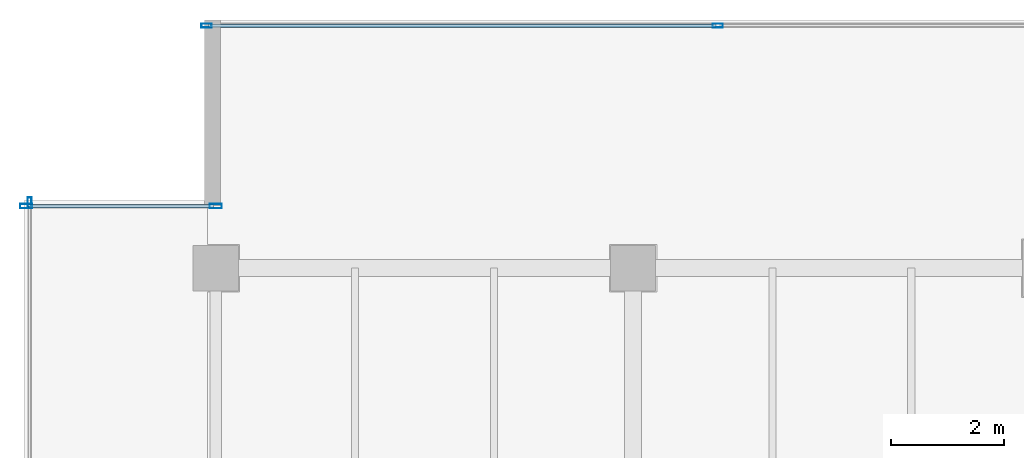
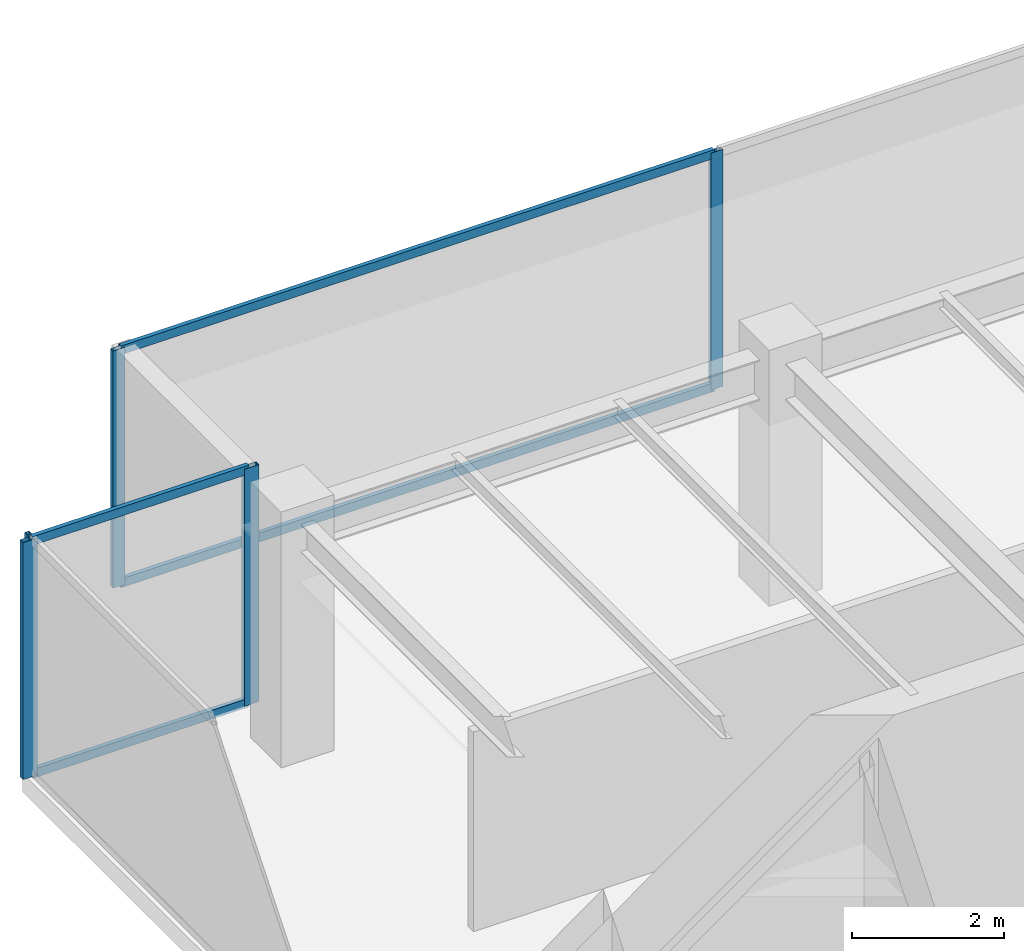
# One storey, part 15 of 36: 9 members, 3 elements without a shape of their own.
"""IFC4 building model written with IfcOpenShell, lengths in metres."""

from ifc_helpers import new_model, si_unit, direction, frame, origin, origin_2d, place, context, subcontext, project, spatial, hollow_rectangle, extrude, source, transform, mapped, material, layer, layer_set, material_profile, profile_set, type_object, type_shapes, element, aggregate, save


model = new_model("IFC4")

# Units and contexts
model_context = context("Model", 3, precision=1e-05, world=origin(), true_north=direction((0.0, 1.0)))
body_context = subcontext(model_context, "Body", "Model", "MODEL_VIEW")
ifc_project = project(units=[si_unit("LENGTHUNIT", "METRE"), si_unit("AREAUNIT", "SQUARE_METRE"), si_unit("VOLUMEUNIT", "CUBIC_METRE"), si_unit("PLANEANGLEUNIT", "RADIAN"), si_unit("MASSUNIT", "GRAM", prefix="KILO")], contexts=[model_context])

# Site, building, storey
site_placement = place(None, origin())
site = spatial("IfcSite", under=ifc_project, at=site_placement, CompositionType="ELEMENT")
building_placement = place(site_placement, origin())
building = spatial("IfcBuilding", under=site, at=building_placement, Name="Haelvirn Gate Laboratories", CompositionType="ELEMENT")
storey_placement = place(building_placement, frame((0.0, 0.0, 262.89990234375)))
storey = spatial("IfcBuildingStorey", under=building, at=storey_placement, Name="L63", CompositionType="ELEMENT", Elevation=262.89990234375)

# Curtain wall, members
ifc_material_1 = material(Name="Anodised bronze unitised aluminium & triple low-E glass", Category="aluminium")
ifc_layer_1 = layer(ifc_material_1, 0.181884765625, Name="CW-SYS-5")
ifc_layer_set_1 = layer_set([ifc_layer_1], Name="Anodised bronze unitised aluminium & triple low-E glass")
curtain_wall_type_1 = type_object("IfcCurtainWallType", Name="CW-SYS-5", PredefinedType="NOTDEFINED", material=ifc_layer_set_1)
curtain_wall_1_placement = place(storey_placement, origin())
curtain_wall_1 = element("IfcCurtainWall", 1, at=curtain_wall_1_placement, inside=storey, type_object=curtain_wall_type_1, Name="L63 Unitised Curtain Wall CW-L63-P0-E16-1", PredefinedType="NOTDEFINED")
ifc_material_2 = material(Name="Extruded aluminium 6063-T6 (anodised bronze)", Category="aluminium")
ifc_material_profile_1 = material_profile(ifc_material_2, hollow_rectangle(XDim=0.06494140625, YDim=0.139892578125, WallThickness=0.00390625, at=origin_2d()), Name="CWT-140x65x4")
ifc_profile_set_1 = profile_set([ifc_material_profile_1], Name="Extruded aluminium 6063-T6 (anodised bronze)")
member_type_1 = type_object("IfcMemberType", Name="CWT-T140", PredefinedType="USERDEFINED", material=ifc_profile_set_1)
shared_shape_1 = source(origin(), body_context, "Body", "SweptSolid", [
    extrude(hollow_rectangle(XDim=0.06494140625, YDim=0.139892578125, WallThickness=0.00390625, at=origin_2d()), origin(), (0.0, 0.0, 1.0), 3.280029296875),
])
member_1_placement = place(storey_placement, frame((4.080078125, 42.699951171875, 0.03271484375), z_axis=(1.0, 0.0, 0.0), x_axis=(0.0, 1.0, 0.0)))
member_1 = element("IfcMember", 2, at=member_1_placement, type_object=member_type_1, Name="CW5 transom 1.1", ObjectType="TRANSOM", PredefinedType="USERDEFINED", context=body_context, shape_type="MappedRepresentation", body=[
    mapped(shared_shape_1, transform((0.0, 0.0, 0.0), scale=1.0)),
])
member_2_placement = place(storey_placement, frame((4.080078125, 42.699951171875, 3.767578125), z_axis=(1.0, 0.0, 0.0), x_axis=(0.0, 1.0, 0.0)))
member_2 = element("IfcMember", 3, at=member_2_placement, type_object=member_type_1, Name="CW5 transom 1.2", ObjectType="TRANSOM", PredefinedType="USERDEFINED", context=body_context, shape_type="MappedRepresentation", body=[
    mapped(shared_shape_1, transform((0.0, 0.0, 0.0), scale=1.0)),
])

ifc_layer_2 = layer(ifc_material_1, 0.176025390625, Name="CW-SYS-4")
ifc_layer_set_2 = layer_set([ifc_layer_2], Name="Anodised bronze unitised aluminium & triple low-E glass")
curtain_wall_type_2 = type_object("IfcCurtainWallType", Name="CW-SYS-4", PredefinedType="NOTDEFINED", material=ifc_layer_set_2)
curtain_wall_2_placement = place(storey_placement, origin())
curtain_wall_2 = element("IfcCurtainWall", 4, at=curtain_wall_2_placement, inside=storey, type_object=curtain_wall_type_2, Name="L63 Unitised Curtain Wall CW-L63-P0-E14-1", PredefinedType="NOTDEFINED")
ifc_material_profile_2 = material_profile(ifc_material_2, hollow_rectangle(XDim=0.070068359375, YDim=0.179931640625, WallThickness=0.0048828125, at=origin_2d()), Name="CWM-180x70x5")
ifc_profile_set_2 = profile_set([ifc_material_profile_2], Name="Extruded aluminium 6063-T6 (anodised bronze)")
member_type_2 = type_object("IfcMemberType", Name="CWM-T180", PredefinedType="MULLION", material=ifc_profile_set_2)
shared_shape_2 = source(origin(), body_context, "Body", "SweptSolid", [
    extrude(hollow_rectangle(XDim=0.070068359375, YDim=0.179931640625, WallThickness=0.0048828125, at=origin_2d()), origin(), (0.0, 0.0, 1.0), 3.800048828125),
])
type_shapes(member_type_2, [shared_shape_2])
member_3_placement = place(storey_placement, frame((7.235107421875, 45.89990234375, 0.0), z_axis=(0.0, 0.0, 1.0), x_axis=(0.0, 1.0, 0.0)))
member_3 = element("IfcMember", 5, at=member_3_placement, type_object=member_type_2, Name="CW4 mullion 1", PredefinedType="MULLION", context=body_context, shape_type="MappedRepresentation", body=[
    mapped(shared_shape_2, transform((0.0, 0.0, 0.0), scale=1.0)),
])
member_4_placement = place(storey_placement, frame((16.300048828125, 45.89990234375, 0.0), z_axis=(0.0, 0.0, 1.0), x_axis=(0.0, 1.0, 0.0)))
member_4 = element("IfcMember", 6, at=member_4_placement, type_object=member_type_2, Name="CW4 mullion 2", PredefinedType="MULLION", context=body_context, shape_type="MappedRepresentation", body=[
    mapped(shared_shape_2, transform((0.0, 0.0, 0.0), scale=1.0)),
])

# Curtain wall, member
curtain_wall_3_placement = place(storey_placement, origin())
curtain_wall_3 = element("IfcCurtainWall", 7, at=curtain_wall_3_placement, inside=storey, type_object=curtain_wall_type_2, Name="L63 Unitised Curtain Wall CW-L63-P0-E17", PredefinedType="NOTDEFINED")
member_5_placement = place(storey_placement, frame((4.10009765625, 42.764892578125, 0.0), z_axis=(0.0, 0.0, 1.0), x_axis=(1.0, 0.0, 0.0)))
member_5 = element("IfcMember", 8, at=member_5_placement, type_object=member_type_2, Name="CW4 mullion 1", PredefinedType="MULLION", context=body_context, shape_type="MappedRepresentation", body=[
    mapped(shared_shape_2, transform((0.0, 0.0, 0.0), scale=1.0)),
])
aggregate(curtain_wall_3, [member_5])

# Member
shared_shape_3 = source(origin(), body_context, "Body", "SweptSolid", [
    extrude(hollow_rectangle(XDim=0.06494140625, YDim=0.139892578125, WallThickness=0.00390625, at=origin_2d()), origin(), (0.0, 0.0, 1.0), 8.994873046875),
])
type_shapes(member_type_1, [shared_shape_1, shared_shape_3])
member_6_placement = place(storey_placement, frame((7.27001953125, 45.89990234375, 0.03271484375), z_axis=(1.0, 0.0, 0.0), x_axis=(0.0, 1.0, 0.0)))
member_6 = element("IfcMember", 9, at=member_6_placement, type_object=member_type_1, Name="CW4 transom 1.1", ObjectType="TRANSOM", PredefinedType="USERDEFINED", context=body_context, shape_type="MappedRepresentation", body=[
    mapped(shared_shape_3, transform((0.0, 0.0, 0.0), scale=1.0)),
])

member_7_placement = place(storey_placement, frame((7.27001953125, 45.89990234375, 3.767578125), z_axis=(1.0, 0.0, 0.0), x_axis=(0.0, 1.0, 0.0)))
member_7 = element("IfcMember", 10, at=member_7_placement, type_object=member_type_1, Name="CW4 transom 1.2", ObjectType="TRANSOM", PredefinedType="USERDEFINED", context=body_context, shape_type="MappedRepresentation", body=[
    mapped(shared_shape_3, transform((0.0, 0.0, 0.0), scale=1.0)),
])

aggregate(curtain_wall_2, [member_3, member_4, member_6, member_7])

ifc_material_profile_3 = material_profile(ifc_material_2, hollow_rectangle(XDim=0.080078125, YDim=0.219970703125, WallThickness=0.006103515625, at=origin_2d()), Name="CWM-220x80x6")
ifc_profile_set_3 = profile_set([ifc_material_profile_3], Name="Extruded aluminium 6063-T6 (anodised bronze)")
member_type_3 = type_object("IfcMemberType", Name="CWM-T220", PredefinedType="MULLION", material=ifc_profile_set_3)
shared_shape_4 = source(origin(), body_context, "Body", "SweptSolid", [
    extrude(hollow_rectangle(XDim=0.080078125, YDim=0.219970703125, WallThickness=0.006103515625, at=origin_2d()), origin(), (0.0, 0.0, 1.0), 3.800048828125),
])
type_shapes(member_type_3, [shared_shape_4])
member_8_placement = place(storey_placement, frame((4.0400390625, 42.699951171875, 0.0), z_axis=(0.0, 0.0, 1.0), x_axis=(0.0, 1.0, 0.0)))
member_8 = element("IfcMember", 11, at=member_8_placement, type_object=member_type_3, Name="CW5 mullion 1", PredefinedType="MULLION", context=body_context, shape_type="MappedRepresentation", body=[
    mapped(shared_shape_4, transform((0.0, 0.0, 0.0), scale=1.0)),
])

member_9_placement = place(storey_placement, frame((7.39990234375, 42.699951171875, 0.0), z_axis=(0.0, 0.0, 1.0), x_axis=(0.0, 1.0, 0.0)))
member_9 = element("IfcMember", 12, at=member_9_placement, type_object=member_type_3, Name="CW5 mullion 2", PredefinedType="MULLION", context=body_context, shape_type="MappedRepresentation", body=[
    mapped(shared_shape_4, transform((0.0, 0.0, 0.0), scale=1.0)),
])

aggregate(curtain_wall_1, [member_8, member_9, member_1, member_2])

save(model, "model.ifc")
